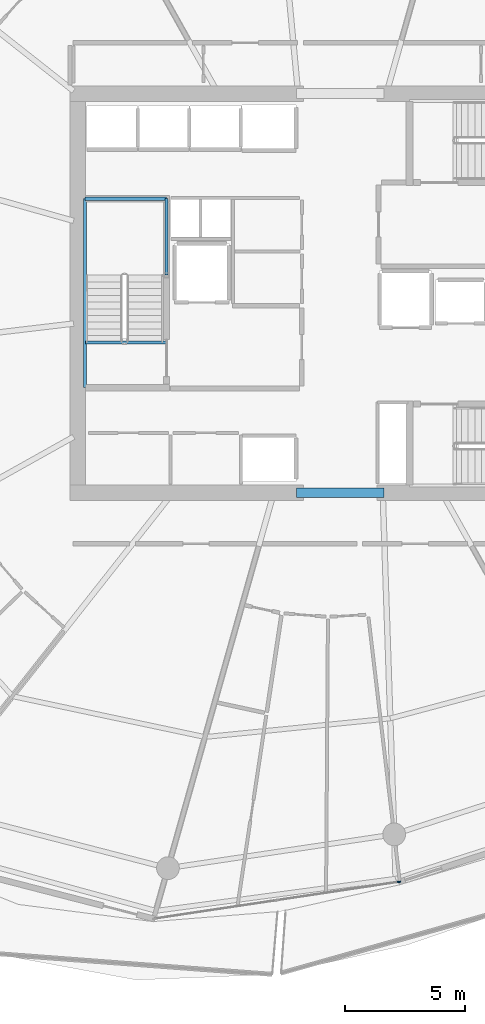
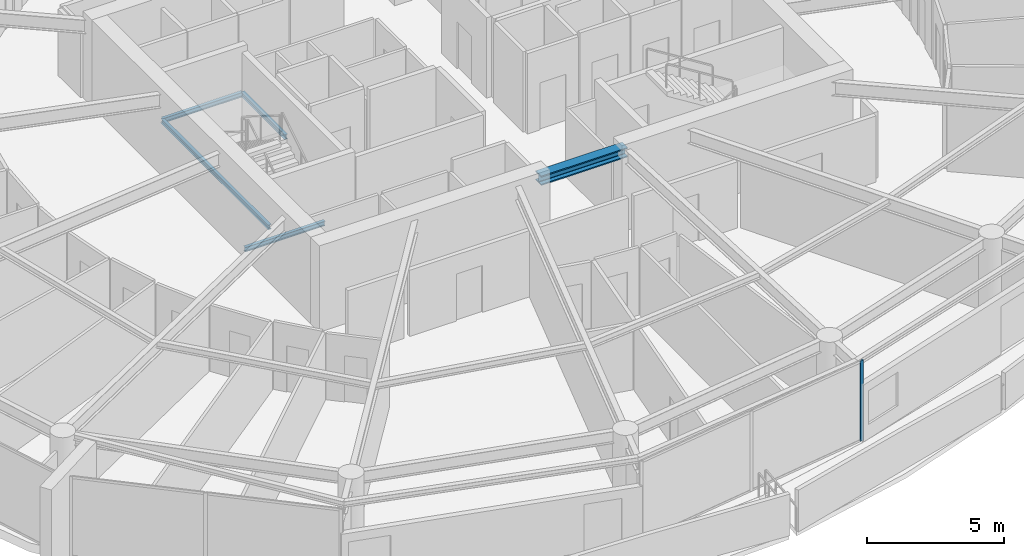
# One storey, part 9 of 30: 5 beams, 1 member, 1 element without a shape of its own.
"""IFC4 building model written with IfcOpenShell, lengths in metres."""

from ifc_helpers import new_model, si_unit, direction, frame, origin, origin_2d, place, context, subcontext, project, spatial, rectangle, i_section, extrude, material, layer, layer_set, material_profile, profile_set, type_object, element, aggregate, save


model = new_model("IFC4")

# Units and contexts
model_context = context("Model", 3, precision=1e-05, world=origin(), true_north=direction((0.0, 1.0)))
body_context = subcontext(model_context, "Body", "Model", "MODEL_VIEW")
ifc_project = project(units=[si_unit("LENGTHUNIT", "METRE"), si_unit("AREAUNIT", "SQUARE_METRE"), si_unit("VOLUMEUNIT", "CUBIC_METRE"), si_unit("PLANEANGLEUNIT", "RADIAN"), si_unit("MASSUNIT", "GRAM", prefix="KILO")], contexts=[model_context])

# Site, building, storey
site_placement = place(None, origin())
site = spatial("IfcSite", under=ifc_project, at=site_placement, CompositionType="ELEMENT")
building_placement = place(site_placement, origin())
building = spatial("IfcBuilding", under=site, at=building_placement, Name="Kazma Halo Residences", CompositionType="ELEMENT")
storey_placement = place(building_placement, frame((0.0, 0.0, 236.699951171875)))
storey = spatial("IfcBuildingStorey", under=building, at=storey_placement, Name="L59", CompositionType="ELEMENT", Elevation=236.699951171875)

# Beams
ifc_material_1 = material(Name="Steel S355", Category="steel")
ifc_material_profile_1 = material_profile(ifc_material_1, i_section(OverallWidth=0.408935546875, OverallDepth=0.425048828125, WebThickness=0.03271484375, FlangeThickness=0.052490234375, FilletRadius=0.02001953125, at=origin_2d()), Name="W360x421")
ifc_profile_set_1 = profile_set([ifc_material_profile_1], Name="Steel S355")
beam_type_1 = type_object("IfcBeamType", Name="BM-CORE-W360H", PredefinedType="BEAM", material=ifc_profile_set_1)
beam_1_placement = place(storey_placement, frame((46.60009765625, 33.675048828125, 3.37744140625), z_axis=(1.0, 0.0, 0.0), x_axis=(0.0, 1.0, 0.0)))
element("IfcBeam", 1, at=beam_1_placement, inside=storey, type_object=beam_type_1, Name="L59 core coupling beam S", PredefinedType="BEAM", context=body_context, shape_type="SweptSolid", body=[
    extrude(i_section(OverallWidth=0.408935546875, OverallDepth=0.425048828125, WebThickness=0.03271484375, FlangeThickness=0.052490234375, FilletRadius=0.02001953125, at=origin_2d()), origin(), (0.0, 0.0, 1.0), 3.64990234375),
])
ifc_material_profile_2 = material_profile(ifc_material_1, i_section(OverallWidth=0.133056640625, OverallDepth=0.20703125, WebThickness=0.005859375, FlangeThickness=0.00830078125, FilletRadius=0.010009765625, at=origin_2d()), Name="W200x26.6")
ifc_profile_set_2 = profile_set([ifc_material_profile_2], Name="Steel S355")
beam_type_2 = type_object("IfcBeamType", Name="BM-TRIM-W200", PredefinedType="BEAM", material=ifc_profile_set_2)
beam_2_placement = place(storey_placement, frame((37.800048828125, 39.949951171875, -0.510009765625), z_axis=(1.0, 0.0, 0.0), x_axis=(0.0, 1.0, 0.0)))
element("IfcBeam", 2, at=beam_2_placement, inside=storey, type_object=beam_type_2, Name="L59 ST-01 floor landing support beam", PredefinedType="BEAM", context=body_context, shape_type="SweptSolid", body=[
    extrude(i_section(OverallWidth=0.133056640625, OverallDepth=0.20703125, WebThickness=0.005859375, FlangeThickness=0.00830078125, FilletRadius=0.010009765625, at=origin_2d()), origin(), (0.0, 0.0, 1.0), 3.3798828125),
])
beam_3_placement = place(storey_placement, frame((37.780029296875, 38.06005859375, 1.6201171875), z_axis=(0.0, 1.0, 0.0), x_axis=(-1.0, 0.0, 0.0)))
element("IfcBeam", 3, at=beam_3_placement, inside=storey, type_object=beam_type_2, Name="L59 ST-01 landing west wall ledger", PredefinedType="BEAM", context=body_context, shape_type="SweptSolid", body=[
    extrude(i_section(OverallWidth=0.133056640625, OverallDepth=0.20703125, WebThickness=0.005859375, FlangeThickness=0.00830078125, FilletRadius=0.010009765625, at=origin_2d()), origin(), (0.0, 0.0, 1.0), 7.8798828125),
])
beam_4_placement = place(storey_placement, frame((41.179931640625, 42.75, 1.6201171875), z_axis=(0.0, 1.0, 0.0), x_axis=(-1.0, 0.0, 0.0)))
element("IfcBeam", 4, at=beam_4_placement, inside=storey, type_object=beam_type_2, Name="L59 ST-01 landing east wall ledger", PredefinedType="BEAM", context=body_context, shape_type="SweptSolid", body=[
    extrude(i_section(OverallWidth=0.133056640625, OverallDepth=0.20703125, WebThickness=0.005859375, FlangeThickness=0.00830078125, FilletRadius=0.010009765625, at=origin_2d()), origin(), (0.0, 0.0, 1.0), 3.18994140625),
])
beam_5_placement = place(storey_placement, frame((37.780029296875, 45.93994140625, 1.6201171875), z_axis=(1.0, 0.0, 0.0), x_axis=(0.0, 1.0, 0.0)))
element("IfcBeam", 5, at=beam_5_placement, inside=storey, type_object=beam_type_2, Name="L59 ST-01 landing end wall ledger", PredefinedType="BEAM", context=body_context, shape_type="SweptSolid", body=[
    extrude(i_section(OverallWidth=0.133056640625, OverallDepth=0.20703125, WebThickness=0.005859375, FlangeThickness=0.00830078125, FilletRadius=0.010009765625, at=origin_2d()), origin(), (0.0, 0.0, 1.0), 3.39990234375),
])

# Curtain wall, member
ifc_material_2 = material(Name="Aluminium AW-6063 T6 and Triple-Silver Low-E Glass", Category="aluminium")
ifc_layer = layer(ifc_material_2, 0.139892578125)
ifc_layer_set = layer_set([ifc_layer], Name="Aluminium AW-6063 T6 and Triple-Silver Low-E Glass")
curtain_wall_type = type_object("IfcCurtainWallType", Name="CW-SYS-5", PredefinedType="NOTDEFINED", material=ifc_layer_set)
curtain_wall_placement = place(storey_placement, origin())
curtain_wall = element("IfcCurtainWall", 6, at=curtain_wall_placement, inside=storey, type_object=curtain_wall_type, Name="L59 unitised curtain wall B11", PredefinedType="NOTDEFINED")
ifc_material_3 = material(Name="Aluminium AW-6063 T6", Category="aluminium")
ifc_material_profile_3 = material_profile(ifc_material_3, rectangle(XDim=0.06005859375, YDim=0.139892578125, at=origin_2d()), Name="CWM-60x140")
ifc_profile_set_3 = profile_set([ifc_material_profile_3], Name="Aluminium AW-6063 T6")
member_type = type_object("IfcMemberType", Name="CW-SYS-5-MUL", PredefinedType="MULLION", material=ifc_profile_set_3)
member_placement = place(storey_placement, frame((50.875732421875, 17.447265625, 0.0), z_axis=(0.0, 0.0, 1.0), x_axis=(-0.148697080374, 0.988882792998, 0.0)))
member = element("IfcMember", 7, at=member_placement, type_object=member_type, Name="CWS-5 mullion 3", PredefinedType="MULLION", context=body_context, shape_type="SweptSolid", body=[
    extrude(rectangle(XDim=0.06005859375, YDim=0.139892578125, at=origin_2d()), origin(), (0.0, 0.0, 1.0), 3.590087890625),
])
aggregate(curtain_wall, [member])

save(model, "model.ifc")
